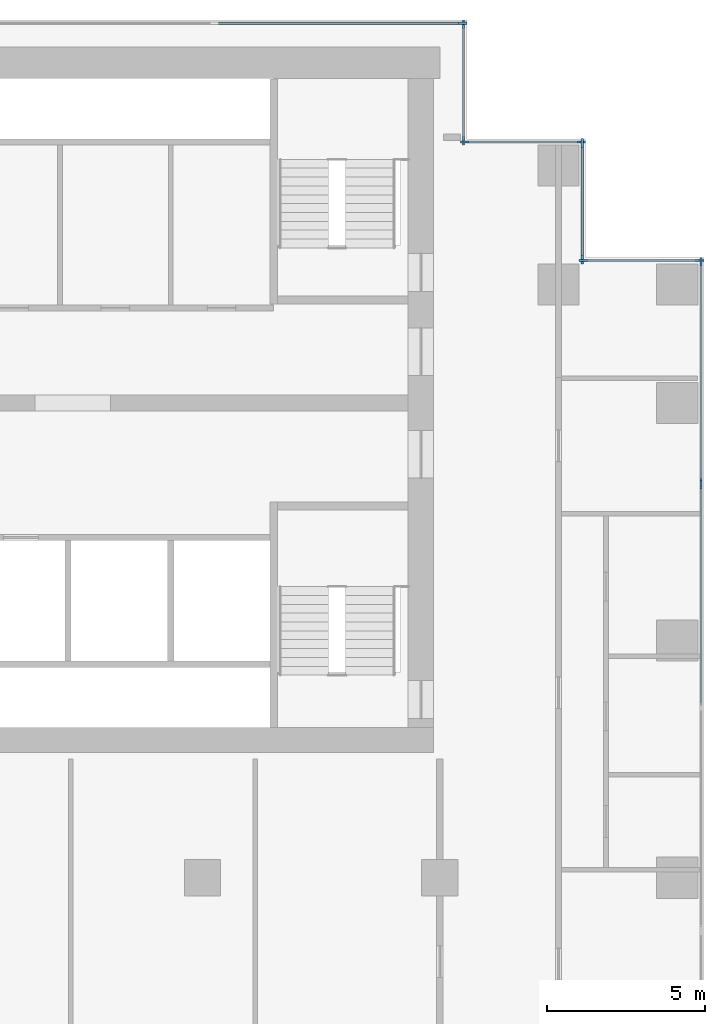
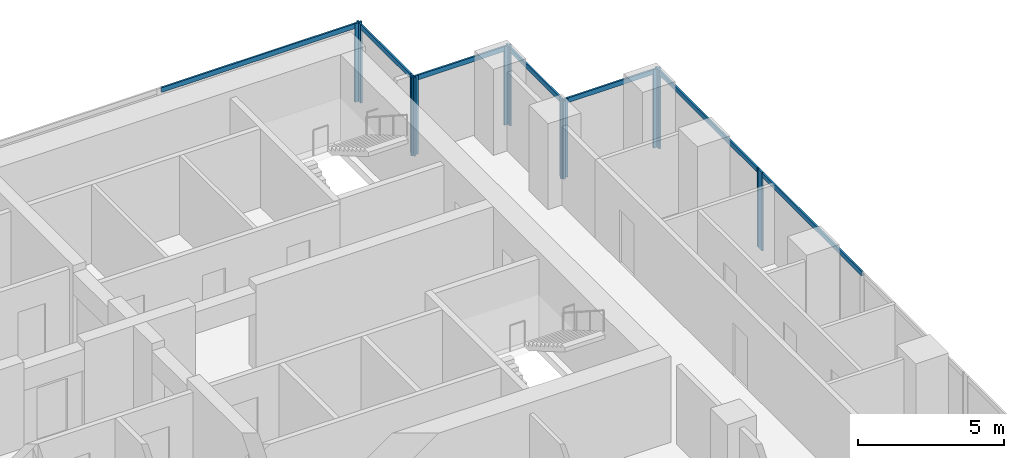
# One storey, part 5 of 11: 19 members, 7 elements without a shape of their own.
"""IFC4 building model written with IfcOpenShell, lengths in metres."""

from ifc_helpers import new_model, si_unit, direction, frame, origin, origin_2d, place, context, subcontext, project, spatial, rectangle, extrude, material, material_profile, profile_set, type_object, element, aggregate, save


model = new_model("IFC4")

# Units and contexts
model_context = context("Model", 3, precision=1e-05, world=origin(), true_north=direction((0.0, 1.0)))
body_context = subcontext(model_context, "Body", "Model", "MODEL_VIEW")
ifc_project = project(units=[si_unit("LENGTHUNIT", "METRE"), si_unit("AREAUNIT", "SQUARE_METRE"), si_unit("VOLUMEUNIT", "CUBIC_METRE"), si_unit("PLANEANGLEUNIT", "RADIAN"), si_unit("MASSUNIT", "GRAM", prefix="KILO")], contexts=[model_context])

# Site, building, storey
site_placement = place(None, origin())
site = spatial("IfcSite", under=ifc_project, at=site_placement, CompositionType="ELEMENT")
building_placement = place(site_placement, origin())
building = spatial("IfcBuilding", under=site, at=building_placement, Name="Pilkhan Gate Tower", CompositionType="ELEMENT")
storey_placement = place(building_placement, frame((0.0, 0.0, 125.199951171875)))
storey = spatial("IfcBuildingStorey", under=building, at=storey_placement, Name="L31", CompositionType="ELEMENT", Elevation=125.199951171875)

# Curtain wall, member
ifc_material_1 = material(Name="Pale anodised aluminium, clear low-iron double glazing", Category="aluminium")
curtain_wall_type = type_object("IfcCurtainWallType", Name="Office unitised curtain wall CW-O1", PredefinedType="USERDEFINED", material=ifc_material_1)
curtain_wall_1_placement = place(storey_placement, origin())
curtain_wall_1 = element("IfcCurtainWall", 1, at=curtain_wall_1_placement, inside=storey, type_object=curtain_wall_type, Name="Office unitised curtain wall CW-O1 L31 E", ObjectType="UNITISED CURTAIN WALL", PredefinedType="USERDEFINED")
ifc_material_2 = material(Name="Pale anodised aluminium", Category="aluminium")
ifc_material_profile_1 = material_profile(ifc_material_2, rectangle(XDim=0.070068359375, YDim=0.27490234375, at=origin_2d()), Name="Mullion 275x70")
ifc_profile_set_1 = profile_set([ifc_material_profile_1], Name="Pale anodised aluminium")
member_type_1 = type_object("IfcMemberType", Name="Mullion CW-O1 275x70", PredefinedType="MULLION", material=ifc_profile_set_1)
member_1_placement = place(storey_placement, frame((98.25, 79.9150390625, 0.0), z_axis=(0.0, 0.0, 1.0), x_axis=(-1.0, 0.0, 0.0)))
member_1 = element("IfcMember", 2, at=member_1_placement, type_object=member_type_1, Name="CW-O1 mullion 3", PredefinedType="MULLION", context=body_context, shape_type="SweptSolid", body=[
    extrude(rectangle(XDim=0.070068359375, YDim=0.27490234375, at=origin_2d()), origin(), (0.0, 0.0, 1.0), 3.300048828125),
])

# Curtain wall, members
curtain_wall_2_placement = place(storey_placement, origin())
curtain_wall_2 = element("IfcCurtainWall", 3, at=curtain_wall_2_placement, inside=storey, type_object=curtain_wall_type, Name="Office unitised curtain wall CW-O1 L31 E", ObjectType="UNITISED CURTAIN WALL", PredefinedType="USERDEFINED")
member_2_placement = place(storey_placement, frame((98.25, 79.985107421875, 0.0), z_axis=(0.0, 0.0, 1.0), x_axis=(-1.0, 0.0, 0.0)))
member_2 = element("IfcMember", 4, at=member_2_placement, type_object=member_type_1, Name="CW-O1 mullion 1", PredefinedType="MULLION", context=body_context, shape_type="SweptSolid", body=[
    extrude(rectangle(XDim=0.070068359375, YDim=0.27490234375, at=origin_2d()), origin(), (0.0, 0.0, 1.0), 3.300048828125),
])
member_3_placement = place(storey_placement, frame((98.25, 86.965087890625, 0.0), z_axis=(0.0, 0.0, 1.0), x_axis=(-1.0, 0.0, 0.0)))
member_3 = element("IfcMember", 5, at=member_3_placement, type_object=member_type_1, Name="CW-O1 mullion 2", PredefinedType="MULLION", context=body_context, shape_type="SweptSolid", body=[
    extrude(rectangle(XDim=0.070068359375, YDim=0.27490234375, at=origin_2d()), origin(), (0.0, 0.0, 1.0), 3.300048828125),
])

curtain_wall_3_placement = place(storey_placement, origin())
curtain_wall_3 = element("IfcCurtainWall", 6, at=curtain_wall_3_placement, inside=storey, type_object=curtain_wall_type, Name="Office unitised curtain wall CW-O1 L31 N", ObjectType="UNITISED CURTAIN WALL", PredefinedType="USERDEFINED")
member_4_placement = place(storey_placement, frame((94.534912109375, 87.0, 0.0), z_axis=(0.0, 0.0, 1.0), x_axis=(0.0, 1.0, 0.0)))
member_4 = element("IfcMember", 7, at=member_4_placement, type_object=member_type_1, Name="CW-O1 mullion 1", PredefinedType="MULLION", context=body_context, shape_type="SweptSolid", body=[
    extrude(rectangle(XDim=0.070068359375, YDim=0.27490234375, at=origin_2d()), origin(), (0.0, 0.0, 1.0), 3.300048828125),
])
member_5_placement = place(storey_placement, frame((98.215087890625, 87.0, 0.0), z_axis=(0.0, 0.0, 1.0), x_axis=(0.0, 1.0, 0.0)))
member_5 = element("IfcMember", 8, at=member_5_placement, type_object=member_type_1, Name="CW-O1 mullion 2", PredefinedType="MULLION", context=body_context, shape_type="SweptSolid", body=[
    extrude(rectangle(XDim=0.070068359375, YDim=0.27490234375, at=origin_2d()), origin(), (0.0, 0.0, 1.0), 3.300048828125),
])

curtain_wall_4_placement = place(storey_placement, origin())
curtain_wall_4 = element("IfcCurtainWall", 9, at=curtain_wall_4_placement, inside=storey, type_object=curtain_wall_type, Name="Office unitised curtain wall CW-O1 L31 E", ObjectType="UNITISED CURTAIN WALL", PredefinedType="USERDEFINED")
member_6_placement = place(storey_placement, frame((94.5, 87.034912109375, 0.0), z_axis=(0.0, 0.0, 1.0), x_axis=(-1.0, 0.0, 0.0)))
member_6 = element("IfcMember", 10, at=member_6_placement, type_object=member_type_1, Name="CW-O1 mullion 1", PredefinedType="MULLION", context=body_context, shape_type="SweptSolid", body=[
    extrude(rectangle(XDim=0.070068359375, YDim=0.27490234375, at=origin_2d()), origin(), (0.0, 0.0, 1.0), 3.300048828125),
])
member_7_placement = place(storey_placement, frame((94.5, 90.715087890625, 0.0), z_axis=(0.0, 0.0, 1.0), x_axis=(-1.0, 0.0, 0.0)))
member_7 = element("IfcMember", 11, at=member_7_placement, type_object=member_type_1, Name="CW-O1 mullion 2", PredefinedType="MULLION", context=body_context, shape_type="SweptSolid", body=[
    extrude(rectangle(XDim=0.070068359375, YDim=0.27490234375, at=origin_2d()), origin(), (0.0, 0.0, 1.0), 3.300048828125),
])

curtain_wall_5_placement = place(storey_placement, origin())
curtain_wall_5 = element("IfcCurtainWall", 12, at=curtain_wall_5_placement, inside=storey, type_object=curtain_wall_type, Name="Office unitised curtain wall CW-O1 L31 N", ObjectType="UNITISED CURTAIN WALL", PredefinedType="USERDEFINED")
member_8_placement = place(storey_placement, frame((90.784912109375, 90.75, 0.0), z_axis=(0.0, 0.0, 1.0), x_axis=(0.0, 1.0, 0.0)))
member_8 = element("IfcMember", 13, at=member_8_placement, type_object=member_type_1, Name="CW-O1 mullion 1", PredefinedType="MULLION", context=body_context, shape_type="SweptSolid", body=[
    extrude(rectangle(XDim=0.070068359375, YDim=0.27490234375, at=origin_2d()), origin(), (0.0, 0.0, 1.0), 3.300048828125),
])
member_9_placement = place(storey_placement, frame((94.465087890625, 90.75, 0.0), z_axis=(0.0, 0.0, 1.0), x_axis=(0.0, 1.0, 0.0)))
member_9 = element("IfcMember", 14, at=member_9_placement, type_object=member_type_1, Name="CW-O1 mullion 2", PredefinedType="MULLION", context=body_context, shape_type="SweptSolid", body=[
    extrude(rectangle(XDim=0.070068359375, YDim=0.27490234375, at=origin_2d()), origin(), (0.0, 0.0, 1.0), 3.300048828125),
])

curtain_wall_6_placement = place(storey_placement, origin())
curtain_wall_6 = element("IfcCurtainWall", 15, at=curtain_wall_6_placement, inside=storey, type_object=curtain_wall_type, Name="Office unitised curtain wall CW-O1 L31 E", ObjectType="UNITISED CURTAIN WALL", PredefinedType="USERDEFINED")
member_10_placement = place(storey_placement, frame((90.75, 90.784912109375, 0.0), z_axis=(0.0, 0.0, 1.0), x_axis=(-1.0, 0.0, 0.0)))
member_10 = element("IfcMember", 16, at=member_10_placement, type_object=member_type_1, Name="CW-O1 mullion 1", PredefinedType="MULLION", context=body_context, shape_type="SweptSolid", body=[
    extrude(rectangle(XDim=0.070068359375, YDim=0.27490234375, at=origin_2d()), origin(), (0.0, 0.0, 1.0), 3.300048828125),
])
member_11_placement = place(storey_placement, frame((90.75, 94.465087890625, 0.0), z_axis=(0.0, 0.0, 1.0), x_axis=(-1.0, 0.0, 0.0)))
member_11 = element("IfcMember", 17, at=member_11_placement, type_object=member_type_1, Name="CW-O1 mullion 2", PredefinedType="MULLION", context=body_context, shape_type="SweptSolid", body=[
    extrude(rectangle(XDim=0.070068359375, YDim=0.27490234375, at=origin_2d()), origin(), (0.0, 0.0, 1.0), 3.300048828125),
])

# Curtain wall, member
curtain_wall_7_placement = place(storey_placement, origin())
curtain_wall_7 = element("IfcCurtainWall", 18, at=curtain_wall_7_placement, inside=storey, type_object=curtain_wall_type, Name="Office unitised curtain wall CW-O1 L31 N", ObjectType="UNITISED CURTAIN WALL", PredefinedType="USERDEFINED")
member_12_placement = place(storey_placement, frame((90.715087890625, 94.5, 0.0), z_axis=(0.0, 0.0, 1.0), x_axis=(0.0, 1.0, 0.0)))
member_12 = element("IfcMember", 19, at=member_12_placement, type_object=member_type_1, Name="CW-O1 mullion 3", PredefinedType="MULLION", context=body_context, shape_type="SweptSolid", body=[
    extrude(rectangle(XDim=0.070068359375, YDim=0.27490234375, at=origin_2d()), origin(), (0.0, 0.0, 1.0), 3.300048828125),
])

# Member
ifc_material_profile_2 = material_profile(ifc_material_2, rectangle(XDim=0.070068359375, YDim=0.199951171875, at=origin_2d()), Name="Transom 200x70")
ifc_profile_set_2 = profile_set([ifc_material_profile_2], Name="Pale anodised aluminium")
member_type_2 = type_object("IfcMemberType", Name="Transom CW-O1 200x70", PredefinedType="USERDEFINED", material=ifc_profile_set_2)
member_13_placement = place(storey_placement, frame((98.25, 72.93505859375, 3.199951171875), z_axis=(0.0, 1.0, 0.0), x_axis=(-1.0, 0.0, 0.0)))
member_13 = element("IfcMember", 20, at=member_13_placement, type_object=member_type_2, Name="CW-O1 transom 2", ObjectType="TRANSOM", PredefinedType="USERDEFINED", context=body_context, shape_type="SweptSolid", body=[
    extrude(rectangle(XDim=0.070068359375, YDim=0.199951171875, at=origin_2d()), origin(), (0.0, 0.0, 1.0), 6.94482421875),
])

aggregate(curtain_wall_1, [member_1, member_13])

member_14_placement = place(storey_placement, frame((98.25, 80.02001953125, 3.199951171875), z_axis=(0.0, 1.0, 0.0), x_axis=(-1.0, 0.0, 0.0)))
member_14 = element("IfcMember", 21, at=member_14_placement, type_object=member_type_2, Name="CW-O1 transom 1", ObjectType="TRANSOM", PredefinedType="USERDEFINED", context=body_context, shape_type="SweptSolid", body=[
    extrude(rectangle(XDim=0.070068359375, YDim=0.199951171875, at=origin_2d()), origin(), (0.0, 0.0, 1.0), 6.909912109375),
])

aggregate(curtain_wall_2, [member_2, member_3, member_14])

member_15_placement = place(storey_placement, frame((94.570068359375, 87.0, 3.199951171875), z_axis=(1.0, 0.0, 0.0), x_axis=(0.0, 1.0, 0.0)))
member_15 = element("IfcMember", 22, at=member_15_placement, type_object=member_type_2, Name="CW-O1 transom 1", ObjectType="TRANSOM", PredefinedType="USERDEFINED", context=body_context, shape_type="SweptSolid", body=[
    extrude(rectangle(XDim=0.070068359375, YDim=0.199951171875, at=origin_2d()), origin(), (0.0, 0.0, 1.0), 3.60986328125),
])

aggregate(curtain_wall_3, [member_4, member_5, member_15])

member_16_placement = place(storey_placement, frame((94.5, 87.070068359375, 3.199951171875), z_axis=(0.0, 1.0, 0.0), x_axis=(-1.0, 0.0, 0.0)))
member_16 = element("IfcMember", 23, at=member_16_placement, type_object=member_type_2, Name="CW-O1 transom 1", ObjectType="TRANSOM", PredefinedType="USERDEFINED", context=body_context, shape_type="SweptSolid", body=[
    extrude(rectangle(XDim=0.070068359375, YDim=0.199951171875, at=origin_2d()), origin(), (0.0, 0.0, 1.0), 3.60986328125),
])

aggregate(curtain_wall_4, [member_6, member_7, member_16])

member_17_placement = place(storey_placement, frame((90.820068359375, 90.75, 3.199951171875), z_axis=(1.0, 0.0, 0.0), x_axis=(0.0, 1.0, 0.0)))
member_17 = element("IfcMember", 24, at=member_17_placement, type_object=member_type_2, Name="CW-O1 transom 1", ObjectType="TRANSOM", PredefinedType="USERDEFINED", context=body_context, shape_type="SweptSolid", body=[
    extrude(rectangle(XDim=0.070068359375, YDim=0.199951171875, at=origin_2d()), origin(), (0.0, 0.0, 1.0), 3.60986328125),
])

aggregate(curtain_wall_5, [member_8, member_9, member_17])

member_18_placement = place(storey_placement, frame((90.75, 90.820068359375, 3.199951171875), z_axis=(0.0, 1.0, 0.0), x_axis=(-1.0, 0.0, 0.0)))
member_18 = element("IfcMember", 25, at=member_18_placement, type_object=member_type_2, Name="CW-O1 transom 1", ObjectType="TRANSOM", PredefinedType="USERDEFINED", context=body_context, shape_type="SweptSolid", body=[
    extrude(rectangle(XDim=0.070068359375, YDim=0.199951171875, at=origin_2d()), origin(), (0.0, 0.0, 1.0), 3.60986328125),
])

aggregate(curtain_wall_6, [member_10, member_11, member_18])

member_19_placement = place(storey_placement, frame((82.909912109375, 94.5, 3.199951171875), z_axis=(1.0, 0.0, 0.0), x_axis=(0.0, 1.0, 0.0)))
member_19 = element("IfcMember", 26, at=member_19_placement, type_object=member_type_2, Name="CW-O1 transom 2", ObjectType="TRANSOM", PredefinedType="USERDEFINED", context=body_context, shape_type="SweptSolid", body=[
    extrude(rectangle(XDim=0.070068359375, YDim=0.199951171875, at=origin_2d()), origin(), (0.0, 0.0, 1.0), 7.77001953125),
])

aggregate(curtain_wall_7, [member_12, member_19])

save(model, "model.ifc")
